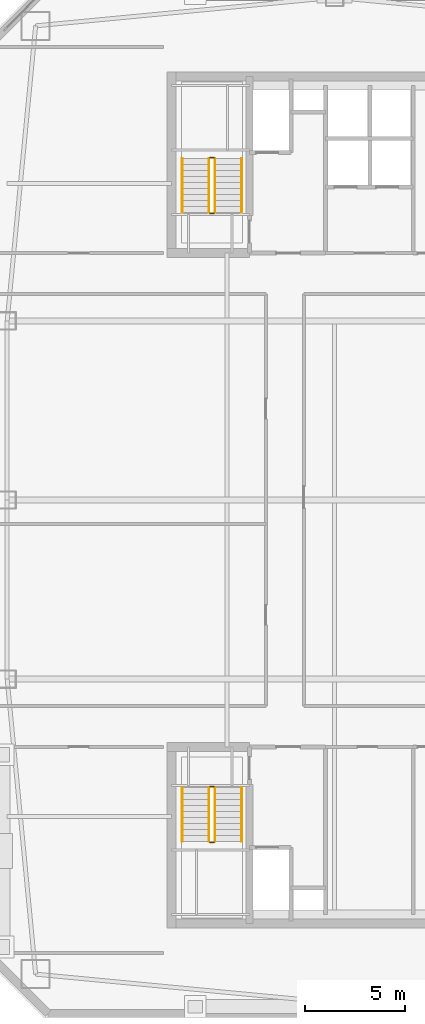
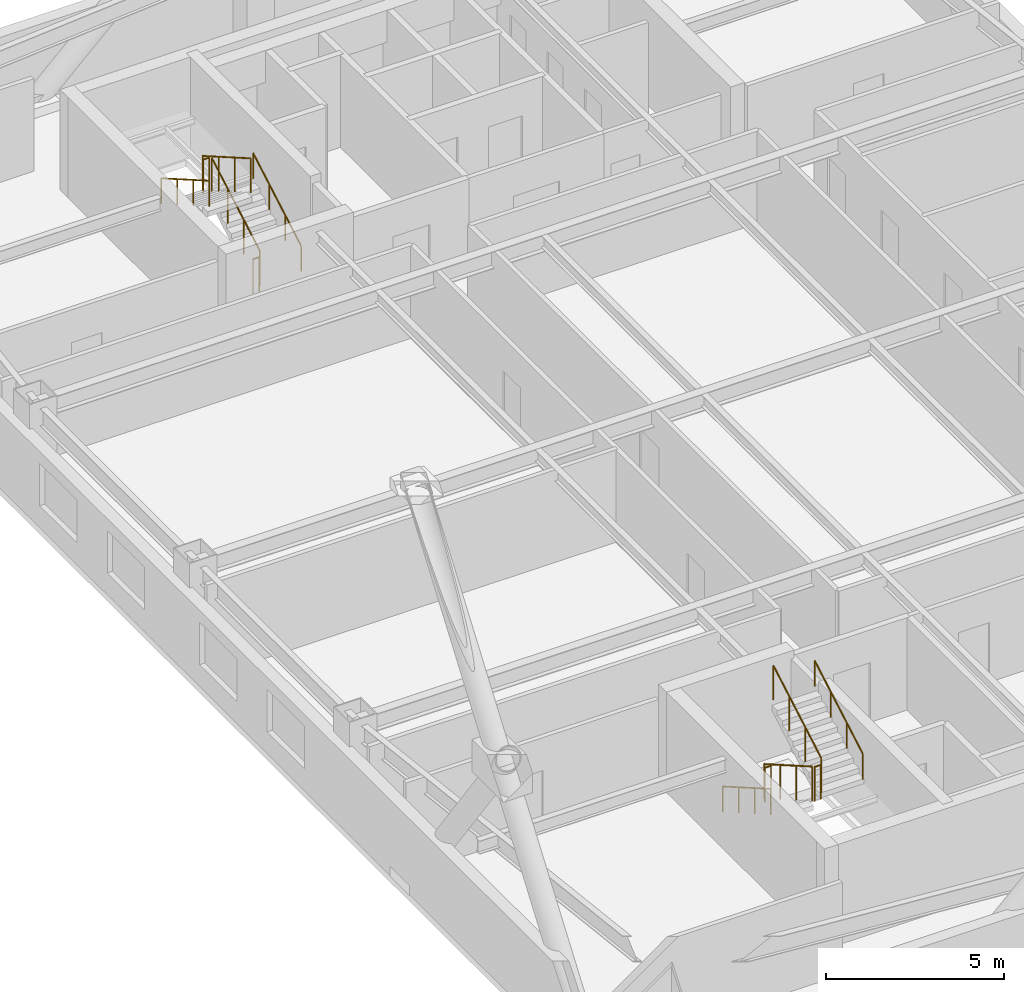
# One storey, part 24 of 25: 12 railings.
"""IFC4 building model written with IfcOpenShell, lengths in metres."""

from ifc_helpers import new_model, si_unit, direction, frame, origin, origin_2d, place, context, subcontext, project, spatial, circle, extrude, material, type_object, element, save


model = new_model("IFC4")

# Units and contexts
model_context = context("Model", 3, precision=1e-05, world=origin(), true_north=direction((0.0, 1.0)))
body_context = subcontext(model_context, "Body", "Model", "MODEL_VIEW")
ifc_project = project(units=[si_unit("LENGTHUNIT", "METRE"), si_unit("AREAUNIT", "SQUARE_METRE"), si_unit("VOLUMEUNIT", "CUBIC_METRE"), si_unit("PLANEANGLEUNIT", "RADIAN"), si_unit("MASSUNIT", "GRAM", prefix="KILO")], contexts=[model_context])

# Site, building, storey
site_placement = place(None, origin())
site = spatial("IfcSite", under=ifc_project, at=site_placement, CompositionType="ELEMENT")
building_placement = place(site_placement, origin())
building = spatial("IfcBuilding", under=site, at=building_placement, Name="Qiaolan Cultural Towers", CompositionType="ELEMENT")
storey_placement = place(building_placement, frame((0.0, 0.0, 202.39990234375)))
storey = spatial("IfcBuildingStorey", under=building, at=storey_placement, Name="L54", CompositionType="ELEMENT", Elevation=202.39990234375)

# Railings
ifc_material_1 = material(Name="Galvanized Painted Steel Stair Guardrail", Category="steel")
railing_type_1 = type_object("IfcRailingType", Name="RL-STAIR-GRD", PredefinedType="GUARDRAIL", material=ifc_material_1)
railing_1_placement = place(storey_placement, frame((23.68994140625, 19.550048828125, 0.172607421875)))
element("IfcRailing", 1, at=railing_1_placement, inside=storey, type_object=railing_type_1, Name="L54 ST-W1 stair guard 1", PredefinedType="GUARDRAIL", context=body_context, shape_type="SweptSolid", body=[
    extrude(circle(Radius=0.02392578125, at=origin_2d()), frame((0.0, 0.0, 1.17578125), z_axis=(0.0, -0.866903762492, 0.498475542607), x_axis=(1.0, 0.0, 0.0)), (0.0, 0.0, 1.0), 3.114501953125),
    extrude(circle(Radius=0.02099609375, at=origin_2d()), origin(), (0.0, 0.0, 1.0), 1.15185546875),
    extrude(circle(Radius=0.02099609375, at=origin_2d()), frame((0.0, -0.89990234375, 0.517578125)), (0.0, 0.0, 1.0), 1.15185546875),
    extrude(circle(Radius=0.02099609375, at=origin_2d()), frame((0.0, -1.800048828125, 1.034912109375)), (0.0, 0.0, 1.0), 1.15185546875),
    extrude(circle(Radius=0.02099609375, at=origin_2d()), frame((0.0, -2.699951171875, 1.552490234375)), (0.0, 0.0, 1.0), 1.15185546875),
])
railing_2_placement = place(storey_placement, frame((23.739990234375, 16.800048828125, 1.72509765625)))
element("IfcRailing", 2, at=railing_2_placement, inside=storey, type_object=railing_type_1, Name="L54 ST-W1 stair guard 2", PredefinedType="GUARDRAIL", context=body_context, shape_type="SweptSolid", body=[
    extrude(circle(Radius=0.02392578125, at=origin_2d()), frame((0.0, 0.0, 1.17578125), z_axis=(1.0, 0.0, 0.0), x_axis=(0.0, 1.0, 0.0)), (0.0, 0.0, 1.0), 0.199951171875),
    extrude(circle(Radius=0.02099609375, at=origin_2d()), origin(), (0.0, 0.0, 1.0), 1.15185546875),
    extrude(circle(Radius=0.02099609375, at=origin_2d()), frame((0.199951171875, 0.0, 0.0)), (0.0, 0.0, 1.0), 1.15185546875),
])
railing_3_placement = place(storey_placement, frame((23.989990234375, 16.85009765625, 1.897705078125)))
element("IfcRailing", 3, at=railing_3_placement, inside=storey, type_object=railing_type_1, Name="L54 ST-W1 stair guard 3", PredefinedType="GUARDRAIL", context=body_context, shape_type="SweptSolid", body=[
    extrude(circle(Radius=0.02392578125, at=origin_2d()), frame((0.0, 0.0, 1.17578125), z_axis=(0.0, 0.866903762492, 0.498475542607), x_axis=(-1.0, 0.0, 0.0)), (0.0, 0.0, 1.0), 3.114501953125),
    extrude(circle(Radius=0.02099609375, at=origin_2d()), origin(), (0.0, 0.0, 1.0), 1.15185546875),
    extrude(circle(Radius=0.02099609375, at=origin_2d()), frame((0.0, 0.89990234375, 0.517578125)), (0.0, 0.0, 1.0), 1.15185546875),
    extrude(circle(Radius=0.02099609375, at=origin_2d()), frame((0.0, 1.800048828125, 1.034912109375)), (0.0, 0.0, 1.0), 1.15185546875),
    extrude(circle(Radius=0.02099609375, at=origin_2d()), frame((0.0, 2.699951171875, 1.552490234375)), (0.0, 0.0, 1.0), 1.15185546875),
])
railing_4_placement = place(storey_placement, frame((23.739990234375, 19.60009765625, 0.0)))
element("IfcRailing", 4, at=railing_4_placement, inside=storey, type_object=railing_type_1, Name="L54 ST-W1 stair guard 4", PredefinedType="GUARDRAIL", context=body_context, shape_type="SweptSolid", body=[
    extrude(circle(Radius=0.02392578125, at=origin_2d()), frame((0.0, 0.0, 1.17578125), z_axis=(1.0, 0.0, 0.0), x_axis=(0.0, 1.0, 0.0)), (0.0, 0.0, 1.0), 0.199951171875),
    extrude(circle(Radius=0.02099609375, at=origin_2d()), origin(), (0.0, 0.0, 1.0), 1.15185546875),
    extrude(circle(Radius=0.02099609375, at=origin_2d()), frame((0.199951171875, 0.0, 0.0)), (0.0, 0.0, 1.0), 1.15185546875),
])
railing_5_placement = place(storey_placement, frame((23.989990234375, 48.449951171875, 0.172607421875)))
element("IfcRailing", 5, at=railing_5_placement, inside=storey, type_object=railing_type_1, Name="L54 ST-W2 stair guard 1", PredefinedType="GUARDRAIL", context=body_context, shape_type="SweptSolid", body=[
    extrude(circle(Radius=0.02392578125, at=origin_2d()), frame((0.0, 0.0, 1.17578125), z_axis=(0.0, 0.866903762492, 0.498475542607), x_axis=(-1.0, 0.0, 0.0)), (0.0, 0.0, 1.0), 3.114501953125),
    extrude(circle(Radius=0.02099609375, at=origin_2d()), origin(), (0.0, 0.0, 1.0), 1.15185546875),
    extrude(circle(Radius=0.02099609375, at=origin_2d()), frame((0.0, 0.89990234375, 0.517578125)), (0.0, 0.0, 1.0), 1.15185546875),
    extrude(circle(Radius=0.02099609375, at=origin_2d()), frame((0.0, 1.800048828125, 1.034912109375)), (0.0, 0.0, 1.0), 1.15185546875),
    extrude(circle(Radius=0.02099609375, at=origin_2d()), frame((0.0, 2.699951171875, 1.552490234375)), (0.0, 0.0, 1.0), 1.15185546875),
])
railing_6_placement = place(storey_placement, frame((23.93994140625, 51.199951171875, 1.72509765625)))
element("IfcRailing", 6, at=railing_6_placement, inside=storey, type_object=railing_type_1, Name="L54 ST-W2 stair guard 2", PredefinedType="GUARDRAIL", context=body_context, shape_type="SweptSolid", body=[
    extrude(circle(Radius=0.02392578125, at=origin_2d()), frame((0.0, 0.0, 1.17578125), z_axis=(-1.0, 0.0, 0.0), x_axis=(0.0, -1.0, 0.0)), (0.0, 0.0, 1.0), 0.199951171875),
    extrude(circle(Radius=0.02099609375, at=origin_2d()), origin(), (0.0, 0.0, 1.0), 1.15185546875),
    extrude(circle(Radius=0.02099609375, at=origin_2d()), frame((-0.199951171875, 0.0, 0.0)), (0.0, 0.0, 1.0), 1.15185546875),
])
railing_7_placement = place(storey_placement, frame((23.68994140625, 51.14990234375, 1.897705078125)))
element("IfcRailing", 7, at=railing_7_placement, inside=storey, type_object=railing_type_1, Name="L54 ST-W2 stair guard 3", PredefinedType="GUARDRAIL", context=body_context, shape_type="SweptSolid", body=[
    extrude(circle(Radius=0.02392578125, at=origin_2d()), frame((0.0, 0.0, 1.17578125), z_axis=(0.0, -0.866903762492, 0.498475542607), x_axis=(1.0, 0.0, 0.0)), (0.0, 0.0, 1.0), 3.114501953125),
    extrude(circle(Radius=0.02099609375, at=origin_2d()), origin(), (0.0, 0.0, 1.0), 1.15185546875),
    extrude(circle(Radius=0.02099609375, at=origin_2d()), frame((0.0, -0.89990234375, 0.517578125)), (0.0, 0.0, 1.0), 1.15185546875),
    extrude(circle(Radius=0.02099609375, at=origin_2d()), frame((0.0, -1.800048828125, 1.034912109375)), (0.0, 0.0, 1.0), 1.15185546875),
    extrude(circle(Radius=0.02099609375, at=origin_2d()), frame((0.0, -2.699951171875, 1.552490234375)), (0.0, 0.0, 1.0), 1.15185546875),
])
railing_8_placement = place(storey_placement, frame((23.93994140625, 48.39990234375, 0.0)))
element("IfcRailing", 8, at=railing_8_placement, inside=storey, type_object=railing_type_1, Name="L54 ST-W2 stair guard 4", PredefinedType="GUARDRAIL", context=body_context, shape_type="SweptSolid", body=[
    extrude(circle(Radius=0.02392578125, at=origin_2d()), frame((0.0, 0.0, 1.17578125), z_axis=(-1.0, 0.0, 0.0), x_axis=(0.0, -1.0, 0.0)), (0.0, 0.0, 1.0), 0.199951171875),
    extrude(circle(Radius=0.02099609375, at=origin_2d()), origin(), (0.0, 0.0, 1.0), 1.15185546875),
    extrude(circle(Radius=0.02099609375, at=origin_2d()), frame((-0.199951171875, 0.0, 0.0)), (0.0, 0.0, 1.0), 1.15185546875),
])
ifc_material_2 = material(Name="Stainless Steel S30408 Tubular Handrail", Category="steel")
railing_type_2 = type_object("IfcRailingType", Name="RL-STAIR-HR", PredefinedType="HANDRAIL", material=ifc_material_2)
railing_9_placement = place(storey_placement, frame((22.35009765625, 19.550048828125, 0.172607421875)))
element("IfcRailing", 9, at=railing_9_placement, inside=storey, type_object=railing_type_2, Name="L54 ST-W1 stair handrail 1", PredefinedType="HANDRAIL", context=body_context, shape_type="SweptSolid", body=[
    extrude(circle(Radius=0.02392578125, at=origin_2d()), frame((0.0, 0.0, 0.8759765625), z_axis=(0.0, -0.866903762492, 0.498475542607), x_axis=(1.0, 0.0, 0.0)), (0.0, 0.0, 1.0), 3.114501953125),
    extrude(circle(Radius=0.02099609375, at=origin_2d()), origin(), (0.0, 0.0, 1.0), 0.851806640625),
    extrude(circle(Radius=0.02099609375, at=origin_2d()), frame((0.0, -0.89990234375, 0.517578125)), (0.0, 0.0, 1.0), 0.851806640625),
    extrude(circle(Radius=0.02099609375, at=origin_2d()), frame((0.0, -1.800048828125, 1.034912109375)), (0.0, 0.0, 1.0), 0.851806640625),
    extrude(circle(Radius=0.02099609375, at=origin_2d()), frame((0.0, -2.699951171875, 1.552490234375)), (0.0, 0.0, 1.0), 0.851806640625),
])
for number, where, name in (
    (10, (25.330078125, 16.85009765625, 1.897705078125), "L54 ST-W1 stair handrail 2"),
    (11, (25.330078125, 48.449951171875, 0.172607421875), "L54 ST-W2 stair handrail 1"),
):
    element("IfcRailing", number, at=place(storey_placement, frame(where)), inside=storey, type_object=railing_type_2, Name=name, PredefinedType="HANDRAIL", context=body_context, shape_type="SweptSolid", body=[
        extrude(circle(Radius=0.02392578125, at=origin_2d()), frame((0.0, 0.0, 0.8759765625), z_axis=(0.0, 0.866903762492, 0.498475542607), x_axis=(-1.0, 0.0, 0.0)), (0.0, 0.0, 1.0), 3.114501953125),
        extrude(circle(Radius=0.02099609375, at=origin_2d()), origin(), (0.0, 0.0, 1.0), 0.851806640625),
        extrude(circle(Radius=0.02099609375, at=origin_2d()), frame((0.0, 0.89990234375, 0.517578125)), (0.0, 0.0, 1.0), 0.851806640625),
        extrude(circle(Radius=0.02099609375, at=origin_2d()), frame((0.0, 1.800048828125, 1.034912109375)), (0.0, 0.0, 1.0), 0.851806640625),
        extrude(circle(Radius=0.02099609375, at=origin_2d()), frame((0.0, 2.699951171875, 1.552490234375)), (0.0, 0.0, 1.0), 0.851806640625),
    ])
railing_10_placement = place(storey_placement, frame((22.35009765625, 51.14990234375, 1.897705078125)))
element("IfcRailing", 12, at=railing_10_placement, inside=storey, type_object=railing_type_2, Name="L54 ST-W2 stair handrail 2", PredefinedType="HANDRAIL", context=body_context, shape_type="SweptSolid", body=[
    extrude(circle(Radius=0.02392578125, at=origin_2d()), frame((0.0, 0.0, 0.8759765625), z_axis=(0.0, -0.866903762492, 0.498475542607), x_axis=(1.0, 0.0, 0.0)), (0.0, 0.0, 1.0), 3.114501953125),
    extrude(circle(Radius=0.02099609375, at=origin_2d()), origin(), (0.0, 0.0, 1.0), 0.851806640625),
    extrude(circle(Radius=0.02099609375, at=origin_2d()), frame((0.0, -0.89990234375, 0.517578125)), (0.0, 0.0, 1.0), 0.851806640625),
    extrude(circle(Radius=0.02099609375, at=origin_2d()), frame((0.0, -1.800048828125, 1.034912109375)), (0.0, 0.0, 1.0), 0.851806640625),
    extrude(circle(Radius=0.02099609375, at=origin_2d()), frame((0.0, -2.699951171875, 1.552490234375)), (0.0, 0.0, 1.0), 0.851806640625),
])

save(model, "model.ifc")
